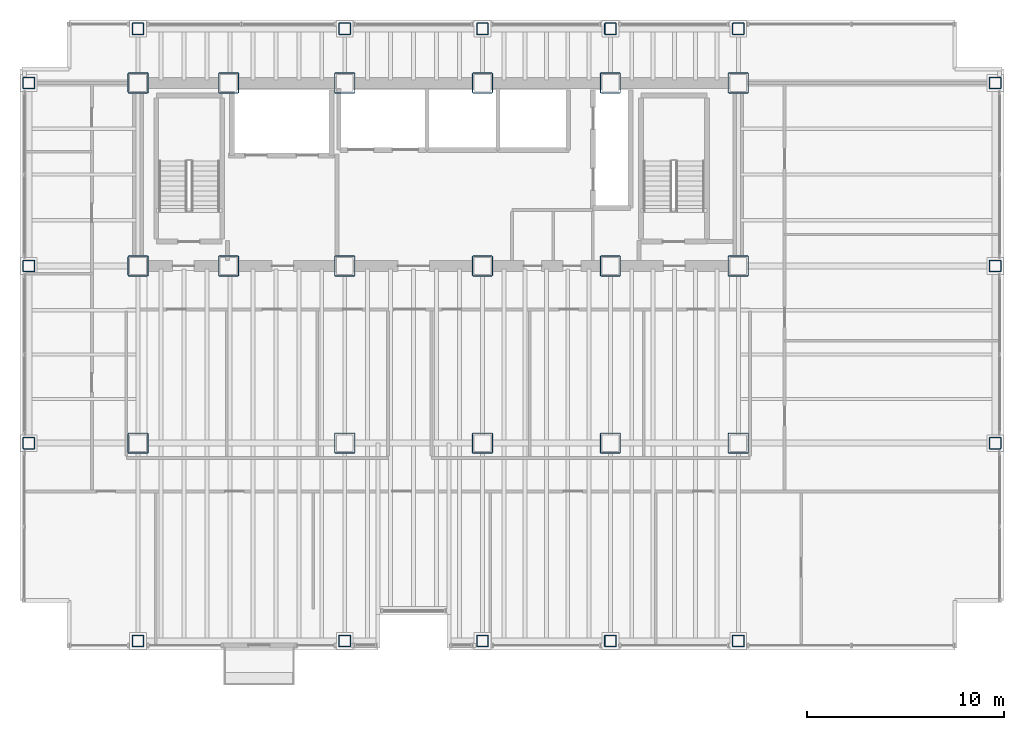
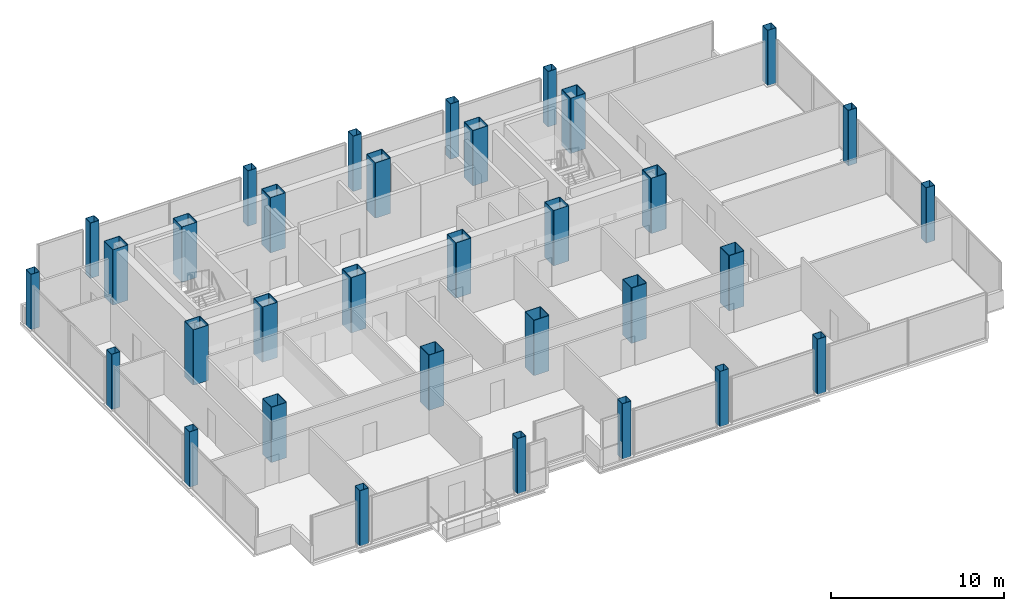
# One storey, part 1 of 21: 33 columns.
"""IFC4 building model written with IfcOpenShell, lengths in metres."""

from ifc_helpers import new_model, si_unit, direction, frame, origin, origin_2d, place, context, subcontext, project, spatial, hollow_rectangle, extrude, material, material_profile, profile_set, type_object, element, save


model = new_model("IFC4")

# Units and contexts
model_context = context("Model", 3, precision=1e-05, world=origin(), true_north=direction((0.0, 1.0)))
body_context = subcontext(model_context, "Body", "Model", "MODEL_VIEW")
ifc_project = project(units=[si_unit("LENGTHUNIT", "METRE"), si_unit("AREAUNIT", "SQUARE_METRE"), si_unit("VOLUMEUNIT", "CUBIC_METRE"), si_unit("PLANEANGLEUNIT", "RADIAN"), si_unit("MASSUNIT", "GRAM", prefix="KILO")], contexts=[model_context])

# Site, building, storey
site_placement = place(None, origin())
site = spatial("IfcSite", under=ifc_project, at=site_placement, CompositionType="ELEMENT")
building_placement = place(site_placement, origin())
building = spatial("IfcBuilding", under=site, at=building_placement, Name="Noeulbin Bourse Tower", CompositionType="ELEMENT")
storey_placement = place(building_placement, frame((0.0, 0.0, 92.800048828125)))
storey = spatial("IfcBuildingStorey", under=building, at=storey_placement, Name="L23", CompositionType="ELEMENT", Elevation=92.800048828125)

# Columns
ifc_material = material(Name="Steel S460", Category="steel")
ifc_material_profile_1 = material_profile(ifc_material, hollow_rectangle(XDim=0.60009765625, YDim=0.60009765625, WallThickness=0.02587890625, InnerFilletRadius=0.012939453125, OuterFilletRadius=0.0390625, at=origin_2d()), Name="BOX-600x600x26", Category="LoadBearing")
ifc_profile_set_1 = profile_set([ifc_material_profile_1], Name="Steel S460")
column_type_1 = type_object("IfcColumnType", Name="COL-PER-Z1", PredefinedType="COLUMN", material=ifc_profile_set_1)
for number, where, z_axis, x_axis, name in (
    (1, (7.949951171875, 20.0, 0.0), (0.0, 0.0, 1.0), (1.0, 0.0, 0.0), "Tower Perimeter Column COL-PER-Z1 01"),
    (2, (7.949951171875, 29.0, 0.0), (0.0, 0.0, 1.0), (1.0, 0.0, 0.0), "Tower Perimeter Column COL-PER-Z1 02"),
    (3, (7.949951171875, 38.300048828125, 0.0), (0.0, 0.0, 1.0), (1.0, 0.0, 0.0), "Tower Perimeter Column COL-PER-Z1 03"),
    (4, (13.5, 9.949951171875, 0.0), (0.0, 0.0, 1.0), (1.0, 0.0, 0.0), "Tower Perimeter Column COL-PER-Z1 04"),
    (5, (13.5, 41.050048828125, 0.0), (0.0, 0.0, 1.0), (1.0, 0.0, 0.0), "Tower Perimeter Column COL-PER-Z1 05"),
    (6, (24.0, 9.949951171875, 0.0), (0.0, 0.0, 1.0), (1.0, 0.0, 0.0), "Tower Perimeter Column COL-PER-Z1 06"),
    (7, (24.0, 41.050048828125, 0.0), (0.0, 0.0, 1.0), (1.0, 0.0, 0.0), "Tower Perimeter Column COL-PER-Z1 07"),
    (8, (31.0, 9.949951171875, 0.0), (0.0, 0.0, 1.0), (1.0, 0.0, 0.0), "Tower Perimeter Column COL-PER-Z1 08"),
    (9, (31.0, 41.050048828125, 0.0), (0.0, 0.0, 1.0), (1.0, 0.0, 0.0), "Tower Perimeter Column COL-PER-Z1 09"),
    (10, (37.5, 9.949951171875, 0.0), (0.0, 0.0, 1.0), (1.0, 0.0, 0.0), "Tower Perimeter Column COL-PER-Z1 10"),
    (11, (37.5, 41.050048828125, 0.0), (0.0, 0.0, 1.0), (1.0, 0.0, 0.0), "Tower Perimeter Column COL-PER-Z1 11"),
    (12, (44.0, 9.949951171875, 0.0), (0.0, 0.0, 1.0), (1.0, 0.0, 0.0), "Tower Perimeter Column COL-PER-Z1 12"),
    (13, (44.0, 41.050048828125, 0.0), (0.0, 0.0, 1.0), (1.0, 0.0, 0.0), "Tower Perimeter Column COL-PER-Z1 13"),
    (14, (57.050048828125, 20.0, 0.0), (0.0, 0.0, 1.0), (1.0, 0.0, 0.0), "Tower Perimeter Column COL-PER-Z1 14"),
    (15, (57.050048828125, 29.0, 0.0), (0.0, 0.0, 1.0), (1.0, 0.0, 0.0), "Tower Perimeter Column COL-PER-Z1 15"),
    (16, (57.050048828125, 38.300048828125, 0.0), (0.0, 0.0, 1.0), (1.0, 0.0, 0.0), "Tower Perimeter Column COL-PER-Z1 16"),
):
    element("IfcColumn", number, at=place(storey_placement, frame(where, z_axis=z_axis, x_axis=x_axis)), inside=storey, type_object=column_type_1, Name=name, PredefinedType="COLUMN", context=body_context, shape_type="SweptSolid", body=[
        extrude(hollow_rectangle(XDim=0.60009765625, YDim=0.60009765625, WallThickness=0.02587890625, InnerFilletRadius=0.012939453125, OuterFilletRadius=0.0390625, at=origin_2d()), origin(), (0.0, 0.0, 1.0), 3.89990234375),
    ])
ifc_material_profile_2 = material_profile(ifc_material, hollow_rectangle(XDim=1.050048828125, YDim=1.050048828125, WallThickness=0.0380859375, InnerFilletRadius=0.01904296875, OuterFilletRadius=0.056884765625, at=origin_2d()), Name="BOX-1050x1050x38", Category="LoadBearing")
ifc_profile_set_2 = profile_set([ifc_material_profile_2], Name="Steel S460")
column_type_2 = type_object("IfcColumnType", Name="COL-TRK-Z1", PredefinedType="COLUMN", material=ifc_profile_set_2)
for number, where, z_axis, x_axis, name in (
    (17, (13.5, 29.0, 0.0), (0.0, 0.0, 1.0), (1.0, 0.0, 0.0), "Tower Trunk Mega-Column COL-TRK-Z1 01"),
    (18, (13.5, 38.300048828125, 0.0), (0.0, 0.0, 1.0), (1.0, 0.0, 0.0), "Tower Trunk Mega-Column COL-TRK-Z1 02"),
    (19, (18.10009765625, 29.0, 0.0), (0.0, 0.0, 1.0), (1.0, 0.0, 0.0), "Tower Trunk Mega-Column COL-TRK-Z1 03"),
    (20, (18.10009765625, 38.300048828125, 0.0), (0.0, 0.0, 1.0), (1.0, 0.0, 0.0), "Tower Trunk Mega-Column COL-TRK-Z1 04"),
    (21, (24.0, 29.0, 0.0), (0.0, 0.0, 1.0), (1.0, 0.0, 0.0), "Tower Trunk Mega-Column COL-TRK-Z1 05"),
    (22, (24.0, 38.300048828125, 0.0), (0.0, 0.0, 1.0), (1.0, 0.0, 0.0), "Tower Trunk Mega-Column COL-TRK-Z1 06"),
    (23, (31.0, 29.0, 0.0), (0.0, 0.0, 1.0), (1.0, 0.0, 0.0), "Tower Trunk Mega-Column COL-TRK-Z1 07"),
    (24, (31.0, 38.300048828125, 0.0), (0.0, 0.0, 1.0), (1.0, 0.0, 0.0), "Tower Trunk Mega-Column COL-TRK-Z1 08"),
    (25, (37.5, 29.0, 0.0), (0.0, 0.0, 1.0), (1.0, 0.0, 0.0), "Tower Trunk Mega-Column COL-TRK-Z1 09"),
    (26, (37.5, 38.300048828125, 0.0), (0.0, 0.0, 1.0), (1.0, 0.0, 0.0), "Tower Trunk Mega-Column COL-TRK-Z1 10"),
    (27, (44.0, 29.0, 0.0), (0.0, 0.0, 1.0), (1.0, 0.0, 0.0), "Tower Trunk Mega-Column COL-TRK-Z1 11"),
    (28, (44.0, 38.300048828125, 0.0), (0.0, 0.0, 1.0), (1.0, 0.0, 0.0), "Tower Trunk Mega-Column COL-TRK-Z1 12"),
    (29, (13.5, 20.0, 0.0), (0.0, 0.0, 1.0), (1.0, 0.0, 0.0), "Tower Trunk Mega-Column COL-TRK-Z1 13"),
    (30, (24.0, 20.0, 0.0), (0.0, 0.0, 1.0), (1.0, 0.0, 0.0), "Tower Trunk Mega-Column COL-TRK-Z1 14"),
    (31, (31.0, 20.0, 0.0), (0.0, 0.0, 1.0), (1.0, 0.0, 0.0), "Tower Trunk Mega-Column COL-TRK-Z1 15"),
    (32, (37.5, 20.0, 0.0), (0.0, 0.0, 1.0), (1.0, 0.0, 0.0), "Tower Trunk Mega-Column COL-TRK-Z1 16"),
    (33, (44.0, 20.0, 0.0), (0.0, 0.0, 1.0), (1.0, 0.0, 0.0), "Tower Trunk Mega-Column COL-TRK-Z1 17"),
):
    element("IfcColumn", number, at=place(storey_placement, frame(where, z_axis=z_axis, x_axis=x_axis)), inside=storey, type_object=column_type_2, Name=name, PredefinedType="COLUMN", context=body_context, shape_type="SweptSolid", body=[
        extrude(hollow_rectangle(XDim=1.050048828125, YDim=1.050048828125, WallThickness=0.0380859375, InnerFilletRadius=0.01904296875, OuterFilletRadius=0.056884765625, at=origin_2d()), origin(), (0.0, 0.0, 1.0), 3.89990234375),
    ])

save(model, "model.ifc")
